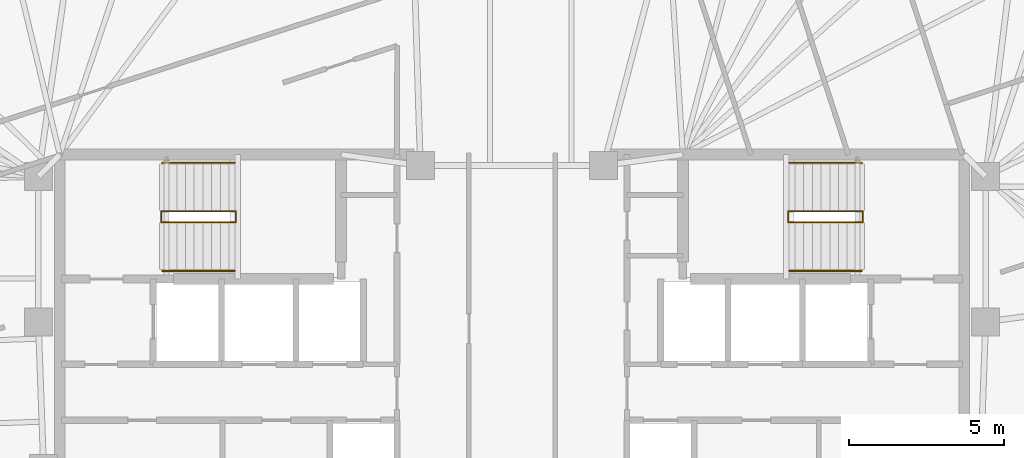
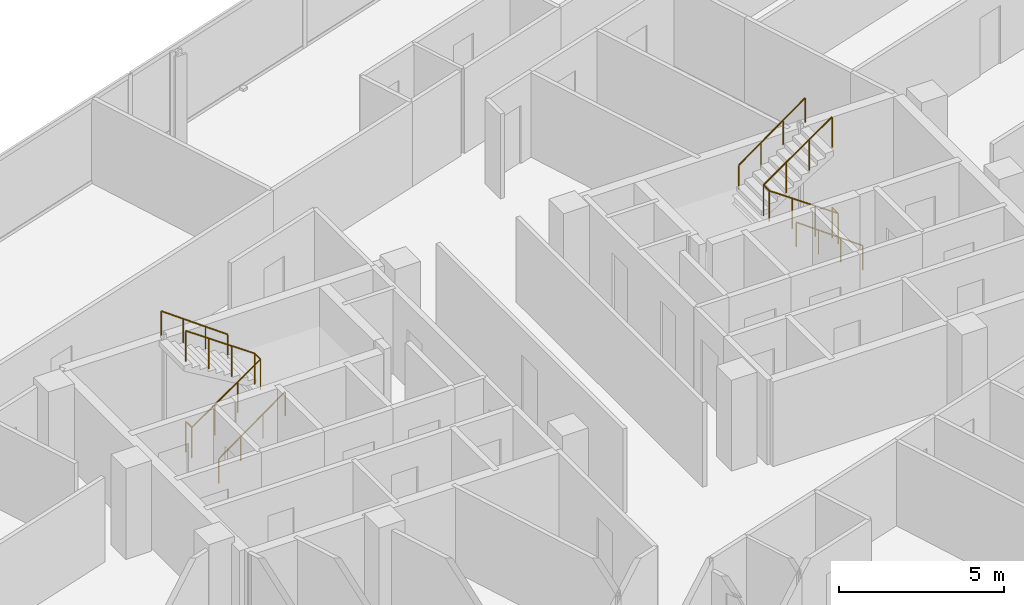
# One storey, part 19 of 19: 6 railings.
"""IFC4 building model written with IfcOpenShell, lengths in metres."""

from ifc_helpers import new_model, si_unit, direction, frame, origin, origin_2d, place, context, subcontext, project, spatial, circle, extrude, material, type_object, element, save


model = new_model("IFC4")

# Units and contexts
model_context = context("Model", 3, precision=1e-05, world=origin(), true_north=direction((0.0, 1.0)))
body_context = subcontext(model_context, "Body", "Model", "MODEL_VIEW")
ifc_project = project(units=[si_unit("LENGTHUNIT", "METRE"), si_unit("AREAUNIT", "SQUARE_METRE"), si_unit("VOLUMEUNIT", "CUBIC_METRE"), si_unit("PLANEANGLEUNIT", "RADIAN"), si_unit("MASSUNIT", "GRAM", prefix="KILO")], contexts=[model_context])

# Site, building, storey
site_placement = place(None, origin())
site = spatial("IfcSite", under=ifc_project, at=site_placement, CompositionType="ELEMENT")
building_placement = place(site_placement, origin())
building = spatial("IfcBuilding", under=site, at=building_placement, Name="Menara Jurai Vektor", CompositionType="ELEMENT")
storey_placement = place(building_placement, frame((0.0, 0.0, 214.25)))
storey = spatial("IfcBuildingStorey", under=building, at=storey_placement, Name="L56", CompositionType="ELEMENT", Elevation=214.25)

# Railings
ifc_material_1 = material(Name="Painted Galvanised Steel Balustrade", Category="steel")
railing_type_1 = type_object("IfcRailingType", Name="RAIL-STAIR-GUARD", PredefinedType="GUARDRAIL", material=ifc_material_1)
railing_1_placement = place(storey_placement, frame((-11.2900390625, 3.780029296875, 0.0)))
element("IfcRailing", 1, at=railing_1_placement, inside=storey, type_object=railing_type_1, Name="ST1 Stair Guardrail 1 L56", PredefinedType="GUARDRAIL", context=body_context, shape_type="SweptSolid", body=[
    extrude(circle(Radius=0.02392578125, at=origin_2d()), frame((0.0, 0.0, 1.1259765625), z_axis=(0.0, -1.0, 0.0), x_axis=(1.0, 0.0, 0.0)), (0.0, 0.0, 1.0), 0.360107421875),
    extrude(circle(Radius=0.02392578125, at=origin_2d()), frame((0.0, -0.360107421875, 1.1259765625), z_axis=(0.820042287322, 0.0, 0.572302932898), x_axis=(0.0, 1.0, 0.0)), (0.0, 0.0, 1.0), 2.9267578125),
    extrude(circle(Radius=0.02392578125, at=origin_2d()), frame((2.400146484375, -0.360107421875, 2.80078125), z_axis=(0.0, 1.0, 0.0), x_axis=(-1.0, 0.0, 0.0)), (0.0, 0.0, 1.0), 0.360107421875),
    extrude(circle(Radius=0.02392578125, at=origin_2d()), frame((2.400146484375, 0.0, 2.80078125), z_axis=(-0.820042287322, 0.0, 0.572302932898), x_axis=(0.0, -1.0, 0.0)), (0.0, 0.0, 1.0), 2.9267578125),
    extrude(circle(Radius=0.02099609375, at=origin_2d()), origin(), (0.0, 0.0, 1.0), 1.101806640625),
    extrude(circle(Radius=0.02099609375, at=origin_2d()), frame((0.0, -0.360107421875, 0.0)), (0.0, 0.0, 1.0), 1.101806640625),
    extrude(circle(Radius=0.02099609375, at=origin_2d()), frame((0.800048828125, -0.360107421875, 0.558349609375)), (0.0, 0.0, 1.0), 1.101806640625),
    extrude(circle(Radius=0.02099609375, at=origin_2d()), frame((1.60009765625, -0.360107421875, 1.11669921875)), (0.0, 0.0, 1.0), 1.101806640625),
    extrude(circle(Radius=0.02099609375, at=origin_2d()), frame((2.400146484375, -0.360107421875, 1.675048828125)), (0.0, 0.0, 1.0), 1.101806640625),
    extrude(circle(Radius=0.02099609375, at=origin_2d()), frame((2.400146484375, 0.0, 1.675048828125)), (0.0, 0.0, 1.0), 1.101806640625),
    extrude(circle(Radius=0.02099609375, at=origin_2d()), frame((1.60009765625, 0.0, 2.2333984375)), (0.0, 0.0, 1.0), 1.101806640625),
    extrude(circle(Radius=0.02099609375, at=origin_2d()), frame((0.800048828125, 0.0, 2.791748046875)), (0.0, 0.0, 1.0), 1.101806640625),
    extrude(circle(Radius=0.02099609375, at=origin_2d()), frame((0.0, 0.0, 3.35009765625)), (0.0, 0.0, 1.0), 1.101806640625),
])
railing_2_placement = place(storey_placement, frame((11.2900390625, 3.780029296875, 0.0)))
element("IfcRailing", 2, at=railing_2_placement, inside=storey, type_object=railing_type_1, Name="ST2 Stair Guardrail 1 L56", PredefinedType="GUARDRAIL", context=body_context, shape_type="SweptSolid", body=[
    extrude(circle(Radius=0.02392578125, at=origin_2d()), frame((0.0, 0.0, 1.1259765625), z_axis=(0.0, -1.0, 0.0), x_axis=(1.0, 0.0, 0.0)), (0.0, 0.0, 1.0), 0.360107421875),
    extrude(circle(Radius=0.02392578125, at=origin_2d()), frame((0.0, -0.360107421875, 1.1259765625), z_axis=(-0.820042287322, 0.0, 0.572302932898), x_axis=(0.0, -1.0, 0.0)), (0.0, 0.0, 1.0), 2.9267578125),
    extrude(circle(Radius=0.02392578125, at=origin_2d()), frame((-2.400146484375, -0.360107421875, 2.80078125), z_axis=(0.0, 1.0, 0.0), x_axis=(-1.0, 0.0, 0.0)), (0.0, 0.0, 1.0), 0.360107421875),
    extrude(circle(Radius=0.02392578125, at=origin_2d()), frame((-2.400146484375, 0.0, 2.80078125), z_axis=(0.820042287322, 0.0, 0.572302932898), x_axis=(0.0, 1.0, 0.0)), (0.0, 0.0, 1.0), 2.9267578125),
    extrude(circle(Radius=0.02099609375, at=origin_2d()), origin(), (0.0, 0.0, 1.0), 1.101806640625),
    extrude(circle(Radius=0.02099609375, at=origin_2d()), frame((0.0, -0.360107421875, 0.0)), (0.0, 0.0, 1.0), 1.101806640625),
    extrude(circle(Radius=0.02099609375, at=origin_2d()), frame((-0.800048828125, -0.360107421875, 0.558349609375)), (0.0, 0.0, 1.0), 1.101806640625),
    extrude(circle(Radius=0.02099609375, at=origin_2d()), frame((-1.60009765625, -0.360107421875, 1.11669921875)), (0.0, 0.0, 1.0), 1.101806640625),
    extrude(circle(Radius=0.02099609375, at=origin_2d()), frame((-2.400146484375, -0.360107421875, 1.675048828125)), (0.0, 0.0, 1.0), 1.101806640625),
    extrude(circle(Radius=0.02099609375, at=origin_2d()), frame((-2.400146484375, 0.0, 1.675048828125)), (0.0, 0.0, 1.0), 1.101806640625),
    extrude(circle(Radius=0.02099609375, at=origin_2d()), frame((-1.60009765625, 0.0, 2.2333984375)), (0.0, 0.0, 1.0), 1.101806640625),
    extrude(circle(Radius=0.02099609375, at=origin_2d()), frame((-0.800048828125, 0.0, 2.791748046875)), (0.0, 0.0, 1.0), 1.101806640625),
    extrude(circle(Radius=0.02099609375, at=origin_2d()), frame((0.0, 0.0, 3.35009765625)), (0.0, 0.0, 1.0), 1.101806640625),
])
ifc_material_2 = material(Name="Brushed Stainless Steel Handrail", Category="steel")
railing_type_2 = type_object("IfcRailingType", Name="RAIL-STAIR-HAND", PredefinedType="HANDRAIL", material=ifc_material_2)
railing_3_placement = place(storey_placement, frame((-11.25, 1.860107421875, 0.0)))
element("IfcRailing", 3, at=railing_3_placement, inside=storey, type_object=railing_type_2, Name="ST1 Stair Handrail 1 L56", PredefinedType="HANDRAIL", context=body_context, shape_type="SweptSolid", body=[
    extrude(circle(Radius=0.02392578125, at=origin_2d()), frame((0.0, 0.0, 0.89599609375), z_axis=(0.810771458067, 0.0, 0.585362830032), x_axis=(0.0, 1.0, 0.0)), (0.0, 0.0, 1.0), 2.861572265625),
    extrude(circle(Radius=0.02099609375, at=origin_2d()), origin(), (0.0, 0.0, 1.0), 0.871826171875),
    extrude(circle(Radius=0.02099609375, at=origin_2d()), frame((0.7734375, 0.0, 0.558349609375)), (0.0, 0.0, 1.0), 0.871826171875),
    extrude(circle(Radius=0.02099609375, at=origin_2d()), frame((1.546630859375, 0.0, 1.11669921875)), (0.0, 0.0, 1.0), 0.871826171875),
    extrude(circle(Radius=0.02099609375, at=origin_2d()), frame((2.320068359375, 0.0, 1.675048828125)), (0.0, 0.0, 1.0), 0.871826171875),
])
for number, where, name in (
    (4, (-8.929931640625, 5.340087890625, 1.675048828125), "ST1 Stair Handrail 2 L56"),
    (5, (11.25, 1.860107421875, 0.0), "ST2 Stair Handrail 1 L56"),
):
    element("IfcRailing", number, at=place(storey_placement, frame(where)), inside=storey, type_object=railing_type_2, Name=name, PredefinedType="HANDRAIL", context=body_context, shape_type="SweptSolid", body=[
        extrude(circle(Radius=0.02392578125, at=origin_2d()), frame((0.0, 0.0, 0.89599609375), z_axis=(-0.810771458067, 0.0, 0.585362830032), x_axis=(0.0, -1.0, 0.0)), (0.0, 0.0, 1.0), 2.861572265625),
        extrude(circle(Radius=0.02099609375, at=origin_2d()), origin(), (0.0, 0.0, 1.0), 0.871826171875),
        extrude(circle(Radius=0.02099609375, at=origin_2d()), frame((-0.7734375, 0.0, 0.558349609375)), (0.0, 0.0, 1.0), 0.871826171875),
        extrude(circle(Radius=0.02099609375, at=origin_2d()), frame((-1.546630859375, 0.0, 1.11669921875)), (0.0, 0.0, 1.0), 0.871826171875),
        extrude(circle(Radius=0.02099609375, at=origin_2d()), frame((-2.320068359375, 0.0, 1.675048828125)), (0.0, 0.0, 1.0), 0.871826171875),
    ])
railing_4_placement = place(storey_placement, frame((8.929931640625, 5.340087890625, 1.675048828125)))
element("IfcRailing", 6, at=railing_4_placement, inside=storey, type_object=railing_type_2, Name="ST2 Stair Handrail 2 L56", PredefinedType="HANDRAIL", context=body_context, shape_type="SweptSolid", body=[
    extrude(circle(Radius=0.02392578125, at=origin_2d()), frame((0.0, 0.0, 0.89599609375), z_axis=(0.810771458067, 0.0, 0.585362830032), x_axis=(0.0, 1.0, 0.0)), (0.0, 0.0, 1.0), 2.861572265625),
    extrude(circle(Radius=0.02099609375, at=origin_2d()), origin(), (0.0, 0.0, 1.0), 0.871826171875),
    extrude(circle(Radius=0.02099609375, at=origin_2d()), frame((0.7734375, 0.0, 0.558349609375)), (0.0, 0.0, 1.0), 0.871826171875),
    extrude(circle(Radius=0.02099609375, at=origin_2d()), frame((1.546630859375, 0.0, 1.11669921875)), (0.0, 0.0, 1.0), 0.871826171875),
    extrude(circle(Radius=0.02099609375, at=origin_2d()), frame((2.320068359375, 0.0, 1.675048828125)), (0.0, 0.0, 1.0), 0.871826171875),
])

save(model, "model.ifc")
